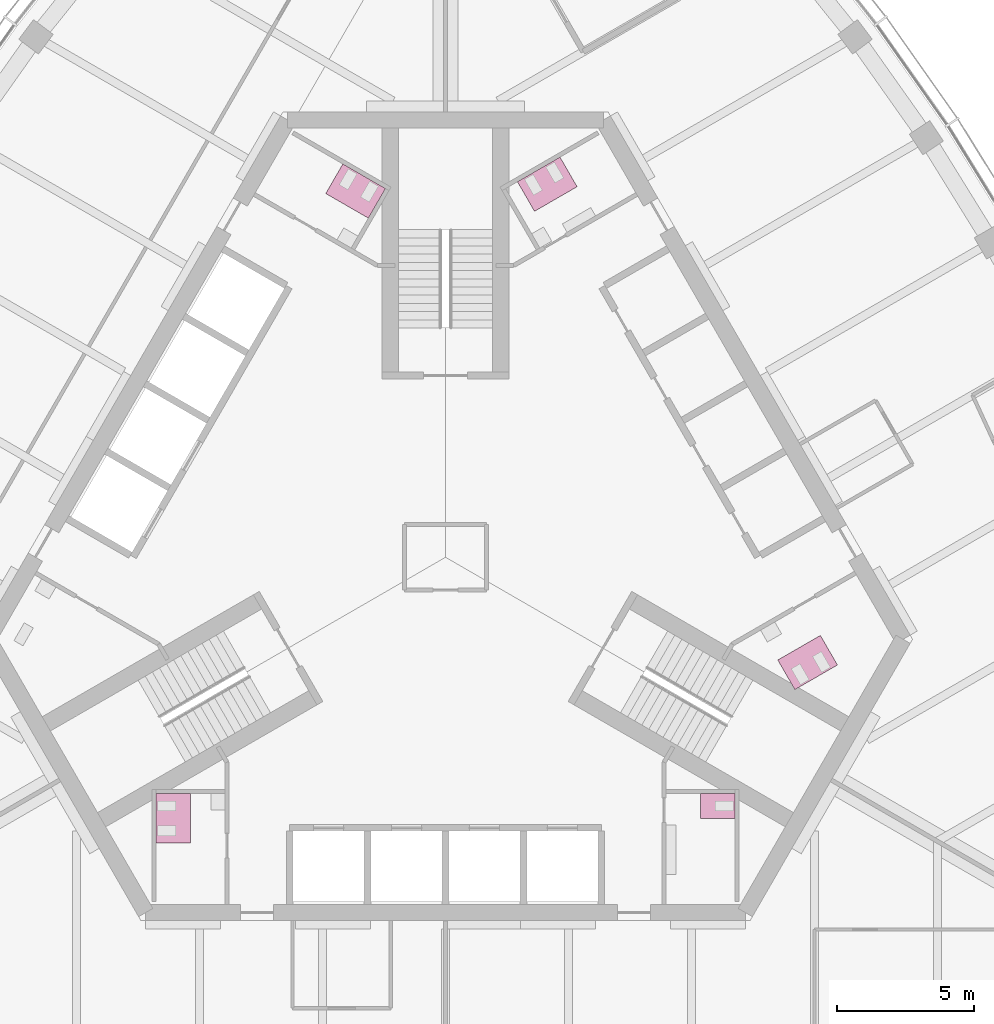
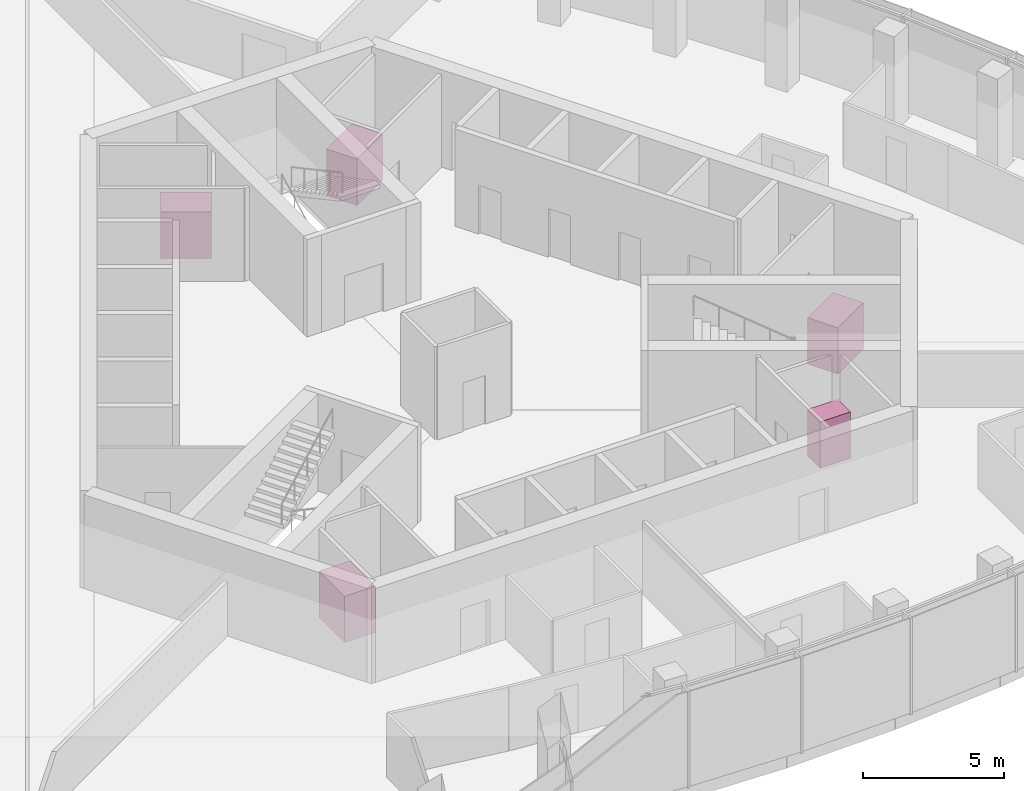
# One storey, part 16 of 16: 5 furniture elements.
"""IFC4 building model written with IfcOpenShell, lengths in metres."""

from ifc_helpers import new_model, si_unit, direction, frame, origin, place, context, subcontext, project, spatial, polyline, outline, extrude, material, type_object, element, save


model = new_model("IFC4")

# Units and contexts
model_context = context("Model", 3, precision=1e-05, world=origin(), true_north=direction((0.0, 1.0)))
body_context = subcontext(model_context, "Body", "Model", "MODEL_VIEW")
ifc_project = project(units=[si_unit("LENGTHUNIT", "METRE"), si_unit("AREAUNIT", "SQUARE_METRE"), si_unit("VOLUMEUNIT", "CUBIC_METRE"), si_unit("PLANEANGLEUNIT", "RADIAN"), si_unit("MASSUNIT", "GRAM", prefix="KILO")], contexts=[model_context])

# Site, building, storey
site_placement = place(None, origin())
site = spatial("IfcSite", under=ifc_project, at=site_placement, CompositionType="ELEMENT")
building_placement = place(site_placement, origin())
building = spatial("IfcBuilding", under=site, at=building_placement, Name="Trefoil Bronze Tower", CompositionType="ELEMENT")
storey_placement = place(building_placement, frame((0.0, 0.0, 309.89990234375)))
storey = spatial("IfcBuildingStorey", under=building, at=storey_placement, Name="L71", CompositionType="ELEMENT", Elevation=309.89990234375)

# Furniture
ifc_material_1 = material(Name="Compact laminate cubicles", Category="plastic")
furniture_type_1 = type_object("IfcFurnitureType", Name="WC cubicle range 1 cubicles", AssemblyPlace="FACTORY", PredefinedType="USERDEFINED", material=ifc_material_1)
furniture_1_placement = place(storey_placement, origin())
element("IfcFurniture", 1, at=furniture_1_placement, inside=storey, type_object=furniture_type_1, Name="WC cubicle range WC (men) L71", ObjectType="WC cubicle range", PredefinedType="USERDEFINED", context=body_context, shape_type="SweptSolid", body=[
    extrude(outline(polyline([(9.3349609375, -8.64990234375), (10.5849609375, -8.64990234375), (10.5849609375, -9.550048828125), (9.3349609375, -9.550048828125), (9.3349609375, -8.64990234375)])), origin(), (0.0, 0.0, 1.0), 2.0),
])
ifc_material_2 = material(Name="Compact laminate cubicles", Category="plastic")
furniture_type_2 = type_object("IfcFurnitureType", Name="WC cubicle range 2 cubicles", AssemblyPlace="FACTORY", PredefinedType="USERDEFINED", material=ifc_material_2)
furniture_2_placement = place(storey_placement, origin())
element("IfcFurniture", 2, at=furniture_2_placement, inside=storey, type_object=furniture_type_2, Name="WC cubicle range WC (women) L71", ObjectType="WC cubicle range", PredefinedType="USERDEFINED", context=body_context, shape_type="SweptSolid", body=[
    extrude(outline(polyline([(12.15869140625, -3.75927734375), (12.78369140625, -4.841796875), (14.342529296875, -3.94189453125), (13.717529296875, -2.859375), (12.15869140625, -3.75927734375)])), origin(), (0.0, 0.0, 1.0), 2.0),
])
furniture_3_placement = place(storey_placement, origin())
element("IfcFurniture", 3, at=furniture_3_placement, inside=storey, type_object=furniture_type_2, Name="WC cubicle range WC (men) L71", ObjectType="WC cubicle range", PredefinedType="USERDEFINED", context=body_context, shape_type="SweptSolid", body=[
    extrude(outline(polyline([(3.256591796875, 12.659423828125), (2.631591796875, 13.741943359375), (4.1904296875, 14.641845703125), (4.8154296875, 13.559326171875), (3.256591796875, 12.659423828125)])), origin(), (0.0, 0.0, 1.0), 2.0),
])
furniture_4_placement = place(storey_placement, origin())
element("IfcFurniture", 4, at=furniture_4_placement, inside=storey, type_object=furniture_type_2, Name="WC cubicle range WC (women) L71", ObjectType="WC cubicle range", PredefinedType="USERDEFINED", context=body_context, shape_type="SweptSolid", body=[
    extrude(outline(polyline([(-2.82373046875, 12.409423828125), (-2.19873046875, 13.491943359375), (-3.757568359375, 14.391845703125), (-4.382568359375, 13.309326171875), (-2.82373046875, 12.409423828125)])), origin(), (0.0, 0.0, 1.0), 2.0),
])
furniture_5_placement = place(storey_placement, origin())
element("IfcFurniture", 5, at=furniture_5_placement, inside=storey, type_object=furniture_type_2, Name="WC cubicle range WC (women) L71", ObjectType="WC cubicle range", PredefinedType="USERDEFINED", context=body_context, shape_type="SweptSolid", body=[
    extrude(outline(polyline([(-9.3349609375, -8.64990234375), (-10.5849609375, -8.64990234375), (-10.5849609375, -10.449951171875), (-9.3349609375, -10.449951171875), (-9.3349609375, -8.64990234375)])), origin(), (0.0, 0.0, 1.0), 2.0),
])

save(model, "model.ifc")
